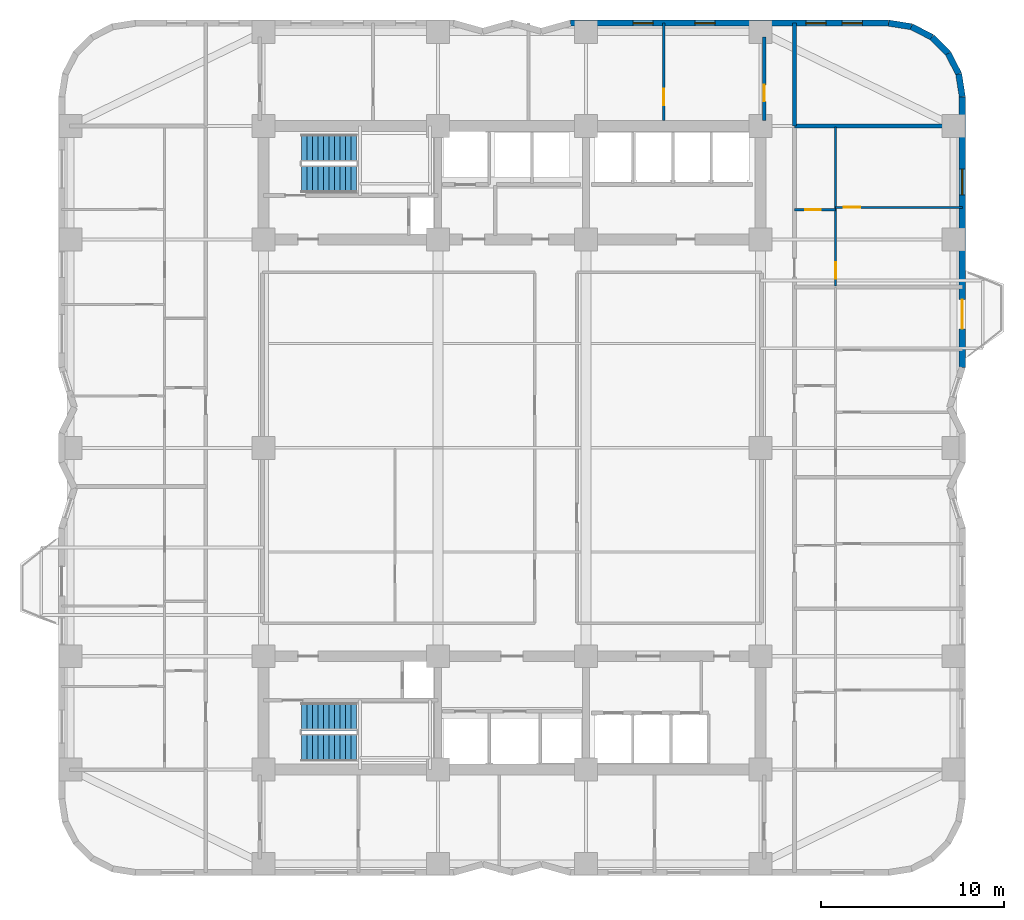
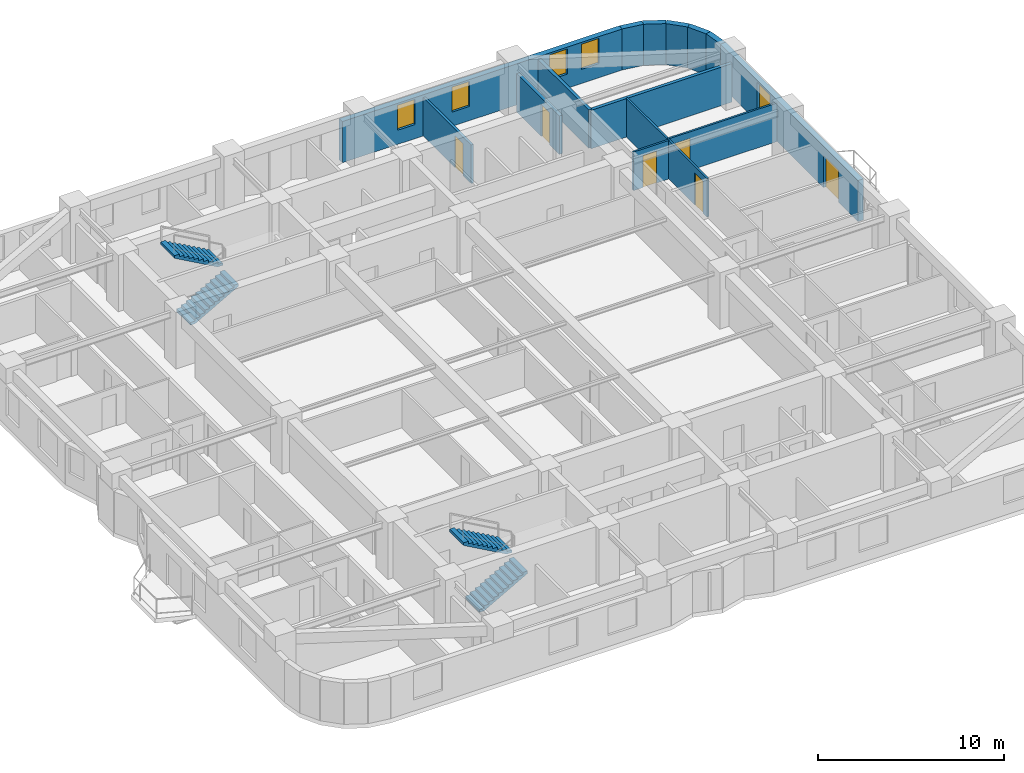
# One storey, part 7 of 9: 14 walls, 6 doors, 5 windows, 4 stair flights, 11 openings, 2 elements without a shape of their own.
"""IFC4 building model written with IfcOpenShell, lengths in metres."""

from ifc_helpers import new_model, si_unit, direction, frame, frame_2d, origin, place, context, subcontext, project, spatial, polyline, rectangle, outline, extrude, material, layer, layer_set, type_object, element, fill, aggregate, save


model = new_model("IFC4")

# Units and contexts
model_context = context("Model", 3, precision=1e-05, world=origin(), true_north=direction((0.0, 1.0)))
body_context = subcontext(model_context, "Body", "Model", "MODEL_VIEW")
ifc_project = project(units=[si_unit("LENGTHUNIT", "METRE"), si_unit("AREAUNIT", "SQUARE_METRE"), si_unit("VOLUMEUNIT", "CUBIC_METRE"), si_unit("PLANEANGLEUNIT", "RADIAN"), si_unit("MASSUNIT", "GRAM", prefix="KILO")], contexts=[model_context])

# Site, building, storey
site_placement = place(None, origin())
site = spatial("IfcSite", under=ifc_project, at=site_placement, CompositionType="ELEMENT")
building_placement = place(site_placement, origin())
building = spatial("IfcBuilding", under=site, at=building_placement, Name="Svetorya Sky Lyceum", CompositionType="ELEMENT")
storey_placement = place(building_placement, frame((0.0, 0.0, 62.10009765625)))
storey = spatial("IfcBuildingStorey", under=building, at=storey_placement, Name="L15", CompositionType="ELEMENT", Elevation=62.10009765625)

# Wall, openings, door, window
ifc_material_1 = material(Name="Putilovo limestone rainscreen on autoclaved cellular masonry", Category="masonry")
ifc_layer_1 = layer(ifc_material_1, 0.340087890625)
ifc_layer_set_1 = layer_set([ifc_layer_1], Name="Putilovo limestone rainscreen on autoclaved cellular masonry")
wall_type_1 = type_object("IfcWallType", Name="WL-EXT-340", PredefinedType="SOLIDWALL", material=ifc_layer_set_1)
wall_1_placement = place(storey_placement, frame((63.830078125, 32.60009765625, 0.0), z_axis=(0.0, 0.0, 1.0), x_axis=(0.0, 1.0, 0.0)))
wall_1 = element("IfcWall", 1, at=wall_1_placement, inside=storey, type_object=wall_type_1, Name="L15 Limestone Exterior Wall 23M", PredefinedType="SOLIDWALL", context=body_context, shape_type="SweptSolid", body=[
    extrude(rectangle(XDim=14.7998046875, YDim=0.340087890625, at=frame_2d((7.39990234375, 0.0))), origin(), (0.0, 0.0, 1.0), 2.699951171875),
])
opening_1_placement = place(wall_1_placement, frame((2.10009765625, 0.0, 0.0)))
opening_1 = element("IfcOpeningElement", 2, at=opening_1_placement, cuts=wall_1, Name="Opening D-BL1", PredefinedType="OPENING", context=body_context, shape_type="SweptSolid", body=[
    extrude(rectangle(XDim=1.60009765625, YDim=2.10009765625, at=frame_2d((0.800048828125, 1.050048828125))), frame((0.0, 0.179931640625, 0.0), z_axis=(0.0, -1.0, 0.0), x_axis=(1.0, 0.0, 0.0)), (0.0, 0.0, 1.0), 0.360107421875),
])
opening_2_placement = place(wall_1_placement, frame((9.4375, 0.0, 0.72998046875)))
opening_2 = element("IfcOpeningElement", 3, at=opening_2_placement, cuts=wall_1, Name="Opening W-R2", PredefinedType="OPENING", context=body_context, shape_type="SweptSolid", body=[
    extrude(rectangle(XDim=1.39990234375, YDim=1.85009765625, at=frame_2d((0.699951171875, 0.925048828125))), frame((0.0, 0.179931640625, 0.0), z_axis=(0.0, -1.0, 0.0), x_axis=(1.0, 0.0, 0.0)), (0.0, 0.0, 1.0), 0.360107421875),
])
ifc_material_2 = material(Name="Insulated glazed aluminium balcony door", Category="aluminium")
door_type_1 = type_object("IfcDoorType", Name="DR-BAL-1600", OperationType="DOUBLE_DOOR_SINGLE_SWING", PredefinedType="DOOR", material=ifc_material_2)
door_1_placement = place(opening_1_placement, origin())
door_1 = element("IfcDoor", 4, at=door_1_placement, inside=storey, type_object=door_type_1, Name="L15 Balcony BAL-E1 Door", OperationType="DOUBLE_DOOR_SINGLE_SWING", OverallHeight=2.10009765625, OverallWidth=1.60009765625, PredefinedType="DOOR", context=body_context, shape_type="SweptSolid", body=[
    extrude(rectangle(XDim=1.60009765625, YDim=2.10009765625, at=frame_2d((0.800048828125, 1.050048828125))), frame((0.0, 0.02490234375, 0.0), z_axis=(0.0, -1.0, 0.0), x_axis=(1.0, 0.0, 0.0)), (0.0, 0.0, 1.0), 0.050048828125),
])
fill(opening_1, door_1)
ifc_material_3 = material(Name="Thermally broken aluminium frame with triple low-E glazing", Category="aluminium")
window_type_1 = type_object("IfcWindowType", Name="WN-RES-140", PartitioningType="SINGLE_PANEL", PredefinedType="WINDOW", material=ifc_material_3)
window_1_placement = place(opening_2_placement, origin())
window_1 = element("IfcWindow", 5, at=window_1_placement, inside=storey, type_object=window_type_1, Name="L15 Facade Window W-R2.23M.1", OverallHeight=1.85009765625, OverallWidth=1.39990234375, PartitioningType="SINGLE_PANEL", PredefinedType="WINDOW", context=body_context, shape_type="SweptSolid", body=[
    extrude(rectangle(XDim=1.39990234375, YDim=1.85009765625, at=frame_2d((0.699951171875, 0.925048828125))), frame((0.0, 0.030029296875, 0.0), z_axis=(0.0, -1.0, 0.0), x_axis=(1.0, 0.0, 0.0)), (0.0, 0.0, 1.0), 0.06005859375),
])
fill(opening_2, window_1)

# Walls
for number, where, z_axis, x_axis, name in (
    (6, (63.830078125, 47.39990234375, 0.0), (0.0, 0.0, 1.0), (-0.15644975923, 0.987685918112, 0.0), "L15 Limestone Exterior Wall 24M"),
    (7, (63.6328125, 48.645263671875, 0.0), (0.0, 0.0, 1.0), (-0.454015689056, 0.890993689142, 0.0), "L15 Limestone Exterior Wall 25M"),
    (8, (63.060302734375, 49.768798828125, 0.0), (0.0, 0.0, 1.0), (-0.707106781187, 0.707106781187, 0.0), "L15 Limestone Exterior Wall 26M"),
):
    element("IfcWall", number, at=place(storey_placement, frame(where, z_axis=z_axis, x_axis=x_axis)), inside=storey, type_object=wall_type_1, Name=name, PredefinedType="SOLIDWALL", context=body_context, shape_type="SweptSolid", body=[
        extrude(rectangle(XDim=1.260986328125, YDim=0.340087890625, at=frame_2d((0.63037109375, 0.0))), origin(), (0.0, 0.0, 1.0), 2.699951171875),
    ])
for number, where, z_axis, x_axis, name in (
    (9, (62.168701171875, 50.660400390625, 0.0), (0.0, 0.0, 1.0), (-0.890953769915, 0.454094020963, 0.0), "L15 Limestone Exterior Wall 27M"),
    (10, (61.04541015625, 51.23291015625, 0.0), (0.0, 0.0, 1.0), (-0.98771582066, 0.156260864002, 0.0), "L15 Limestone Exterior Wall 28M"),
):
    element("IfcWall", number, at=place(storey_placement, frame(where, z_axis=z_axis, x_axis=x_axis)), inside=storey, type_object=wall_type_1, Name=name, PredefinedType="SOLIDWALL", context=body_context, shape_type="SweptSolid", body=[
        extrude(rectangle(XDim=1.2607421875, YDim=0.340087890625, at=frame_2d((0.63037109375, 0.0))), origin(), (0.0, 0.0, 1.0), 2.699951171875),
    ])

# Wall, openings, windows
wall_2_placement = place(storey_placement, frame((59.800048828125, 51.429931640625, 0.0), z_axis=(0.0, 0.0, 1.0), x_axis=(-1.0, 0.0, 0.0)))
wall_2 = element("IfcWall", 11, at=wall_2_placement, inside=storey, type_object=wall_type_1, Name="L15 Limestone Exterior Wall 29M", PredefinedType="SOLIDWALL", context=body_context, shape_type="SweptSolid", body=[
    extrude(rectangle(XDim=17.400146484375, YDim=0.340087890625, at=frame_2d((8.7001953125, 0.0))), origin(), (0.0, 0.0, 1.0), 2.699951171875),
])
opening_3_placement = place(wall_2_placement, frame((1.441650390625, 0.0, 0.929931640625)))
opening_3 = element("IfcOpeningElement", 12, at=opening_3_placement, cuts=wall_2, Name="Opening W-R3", PredefinedType="OPENING", context=body_context, shape_type="SweptSolid", body=[
    extrude(rectangle(XDim=1.10009765625, YDim=1.64990234375, at=frame_2d((0.550048828125, 0.824951171875))), frame((0.0, 0.179931640625, 0.0), z_axis=(0.0, -1.0, 0.0), x_axis=(1.0, 0.0, 0.0)), (0.0, 0.0, 1.0), 0.360107421875),
])
opening_4_placement = place(wall_2_placement, frame((3.425048828125, 0.0, 0.929931640625)))
opening_4 = element("IfcOpeningElement", 13, at=opening_4_placement, cuts=wall_2, Name="Opening W-R3", PredefinedType="OPENING", context=body_context, shape_type="SweptSolid", body=[
    extrude(rectangle(XDim=1.10009765625, YDim=1.64990234375, at=frame_2d((0.550048828125, 0.824951171875))), frame((0.0, 0.179931640625, 0.0), z_axis=(0.0, -1.0, 0.0), x_axis=(1.0, 0.0, 0.0)), (0.0, 0.0, 1.0), 0.360107421875),
])
opening_5_placement = place(wall_2_placement, frame((9.49169921875, 0.0, 0.929931640625)))
opening_5 = element("IfcOpeningElement", 14, at=opening_5_placement, cuts=wall_2, Name="Opening W-R3", PredefinedType="OPENING", context=body_context, shape_type="SweptSolid", body=[
    extrude(rectangle(XDim=1.10009765625, YDim=1.64990234375, at=frame_2d((0.550048828125, 0.824951171875))), frame((0.0, 0.179931640625, 0.0), z_axis=(0.0, -1.0, 0.0), x_axis=(1.0, 0.0, 0.0)), (0.0, 0.0, 1.0), 0.360107421875),
])
opening_6_placement = place(wall_2_placement, frame((12.875, 0.0, 0.929931640625)))
opening_6 = element("IfcOpeningElement", 15, at=opening_6_placement, cuts=wall_2, Name="Opening W-R3", PredefinedType="OPENING", context=body_context, shape_type="SweptSolid", body=[
    extrude(rectangle(XDim=1.10009765625, YDim=1.64990234375, at=frame_2d((0.550048828125, 0.824951171875))), frame((0.0, 0.179931640625, 0.0), z_axis=(0.0, -1.0, 0.0), x_axis=(1.0, 0.0, 0.0)), (0.0, 0.0, 1.0), 0.360107421875),
])
window_type_2 = type_object("IfcWindowType", Name="WN-RES-110", PartitioningType="SINGLE_PANEL", PredefinedType="WINDOW", material=ifc_material_3)
window_2_placement = place(opening_3_placement, origin())
window_2 = element("IfcWindow", 16, at=window_2_placement, inside=storey, type_object=window_type_2, Name="L15 Facade Window W-R3.29M.1", OverallHeight=1.64990234375, OverallWidth=1.10009765625, PartitioningType="SINGLE_PANEL", PredefinedType="WINDOW", context=body_context, shape_type="SweptSolid", body=[
    extrude(rectangle(XDim=1.10009765625, YDim=1.64990234375, at=frame_2d((0.550048828125, 0.824951171875))), frame((0.0, 0.030029296875, 0.0), z_axis=(0.0, -1.0, 0.0), x_axis=(1.0, 0.0, 0.0)), (0.0, 0.0, 1.0), 0.06005859375),
])
fill(opening_3, window_2)
window_3_placement = place(opening_4_placement, origin())
window_3 = element("IfcWindow", 17, at=window_3_placement, inside=storey, type_object=window_type_2, Name="L15 Facade Window W-R3.29M.2", OverallHeight=1.64990234375, OverallWidth=1.10009765625, PartitioningType="SINGLE_PANEL", PredefinedType="WINDOW", context=body_context, shape_type="SweptSolid", body=[
    extrude(rectangle(XDim=1.10009765625, YDim=1.64990234375, at=frame_2d((0.550048828125, 0.824951171875))), frame((0.0, 0.030029296875, 0.0), z_axis=(0.0, -1.0, 0.0), x_axis=(1.0, 0.0, 0.0)), (0.0, 0.0, 1.0), 0.06005859375),
])
fill(opening_4, window_3)
window_4_placement = place(opening_5_placement, origin())
window_4 = element("IfcWindow", 18, at=window_4_placement, inside=storey, type_object=window_type_2, Name="L15 Facade Window W-R3.29M.3", OverallHeight=1.64990234375, OverallWidth=1.10009765625, PartitioningType="SINGLE_PANEL", PredefinedType="WINDOW", context=body_context, shape_type="SweptSolid", body=[
    extrude(rectangle(XDim=1.10009765625, YDim=1.64990234375, at=frame_2d((0.550048828125, 0.824951171875))), frame((0.0, 0.030029296875, 0.0), z_axis=(0.0, -1.0, 0.0), x_axis=(1.0, 0.0, 0.0)), (0.0, 0.0, 1.0), 0.06005859375),
])
fill(opening_5, window_4)
window_5_placement = place(opening_6_placement, origin())
window_5 = element("IfcWindow", 19, at=window_5_placement, inside=storey, type_object=window_type_2, Name="L15 Facade Window W-R3.29M.4", OverallHeight=1.64990234375, OverallWidth=1.10009765625, PartitioningType="SINGLE_PANEL", PredefinedType="WINDOW", context=body_context, shape_type="SweptSolid", body=[
    extrude(rectangle(XDim=1.10009765625, YDim=1.64990234375, at=frame_2d((0.550048828125, 0.824951171875))), frame((0.0, 0.030029296875, 0.0), z_axis=(0.0, -1.0, 0.0), x_axis=(1.0, 0.0, 0.0)), (0.0, 0.0, 1.0), 0.06005859375),
])
fill(opening_6, window_5)

# Wall, opening, door
ifc_material_4 = material(Name="Twin-stud galvanized framing with double fireboard", Category="gypsum")
ifc_layer_2 = layer(ifc_material_4, 0.1201171875)
ifc_layer_set_2 = layer_set([ifc_layer_2], Name="Twin-stud galvanized framing with double fireboard")
wall_type_2 = type_object("IfcWallType", Name="WL-PART-120", PredefinedType="PARTITIONING", material=ifc_layer_set_2)
wall_3_placement = place(storey_placement, frame((54.64990234375, 41.219970703125, 0.0), z_axis=(0.0, 0.0, 1.0), x_axis=(1.0, 0.0, 0.0)))
wall_3 = element("IfcWall", 20, at=wall_3_placement, inside=storey, type_object=wall_type_2, Name="L15 Interior Partition E4-WH1", PredefinedType="PARTITIONING", context=body_context, shape_type="SweptSolid", body=[
    extrude(rectangle(XDim=2.25, YDim=0.1201171875, at=frame_2d((1.125, 0.0))), origin(), (0.0, 0.0, 1.0), 2.52978515625),
])
opening_7_placement = place(wall_3_placement, frame((0.60009765625, 0.0, 0.0)))
opening_7 = element("IfcOpeningElement", 21, at=opening_7_placement, cuts=wall_3, Name="Opening D-BT1", PredefinedType="OPENING", context=body_context, shape_type="SweptSolid", body=[
    extrude(rectangle(XDim=0.85009765625, YDim=2.10009765625, at=frame_2d((0.425048828125, 1.050048828125))), frame((0.0, 0.070068359375, 0.0), z_axis=(0.0, -1.0, 0.0), x_axis=(1.0, 0.0, 0.0)), (0.0, 0.0, 1.0), 0.14013671875),
])
ifc_material_5 = material(Name="Moisture-resistant laminate bathroom door")
door_type_2 = type_object("IfcDoorType", Name="DR-WET-850", OperationType="SINGLE_SWING_LEFT", PredefinedType="DOOR", material=ifc_material_5)
door_2_placement = place(opening_7_placement, origin())
door_2 = element("IfcDoor", 22, at=door_2_placement, inside=storey, type_object=door_type_2, Name="Apartment E4 Bathroom Door", OperationType="SINGLE_SWING_LEFT", OverallHeight=2.10009765625, OverallWidth=0.85009765625, PredefinedType="DOOR", context=body_context, shape_type="SweptSolid", body=[
    extrude(rectangle(XDim=0.85009765625, YDim=2.10009765625, at=frame_2d((0.425048828125, 1.050048828125))), frame((0.0, 0.02490234375, 0.0), z_axis=(0.0, -1.0, 0.0), x_axis=(1.0, 0.0, 0.0)), (0.0, 0.0, 1.0), 0.050048828125),
])
fill(opening_7, door_2)

wall_4_placement = place(storey_placement, frame((56.89990234375, 41.35009765625, 0.0), z_axis=(0.0, 0.0, 1.0), x_axis=(1.0, 0.0, 0.0)))
wall_4 = element("IfcWall", 23, at=wall_4_placement, inside=storey, type_object=wall_type_2, Name="L15 Interior Partition E4-WL1", PredefinedType="PARTITIONING", context=body_context, shape_type="SweptSolid", body=[
    extrude(rectangle(XDim=6.93017578125, YDim=0.1201171875, at=frame_2d((3.465087890625, 0.0))), origin(), (0.0, 0.0, 1.0), 2.52978515625),
])
opening_8_placement = place(wall_4_placement, frame((0.449951171875, 0.0, 0.0)))
opening_8 = element("IfcOpeningElement", 24, at=opening_8_placement, cuts=wall_4, Name="Opening D-RM1", PredefinedType="OPENING", context=body_context, shape_type="SweptSolid", body=[
    extrude(rectangle(XDim=0.89990234375, YDim=2.10009765625, at=frame_2d((0.449951171875, 1.050048828125))), frame((0.0, 0.070068359375, 0.0), z_axis=(0.0, -1.0, 0.0), x_axis=(1.0, 0.0, 0.0)), (0.0, 0.0, 1.0), 0.14013671875),
])
ifc_material_6 = material(Name="Lacquered birch veneer internal door")
door_type_3 = type_object("IfcDoorType", Name="DR-INT-900", OperationType="SINGLE_SWING_LEFT", PredefinedType="DOOR", material=ifc_material_6)
door_3_placement = place(opening_8_placement, origin())
door_3 = element("IfcDoor", 25, at=door_3_placement, inside=storey, type_object=door_type_3, Name="Apartment E4 Bedroom 1 Door", OperationType="SINGLE_SWING_LEFT", OverallHeight=2.10009765625, OverallWidth=0.89990234375, PredefinedType="DOOR", context=body_context, shape_type="SweptSolid", body=[
    extrude(rectangle(XDim=0.89990234375, YDim=2.10009765625, at=frame_2d((0.449951171875, 1.050048828125))), frame((0.0, 0.02490234375, 0.0), z_axis=(0.0, -1.0, 0.0), x_axis=(1.0, 0.0, 0.0)), (0.0, 0.0, 1.0), 0.050048828125),
])
fill(opening_8, door_3)

wall_5_placement = place(storey_placement, frame((56.89990234375, 37.0400390625, 0.0), z_axis=(0.0, 0.0, 1.0), x_axis=(0.0, 1.0, 0.0)))
wall_5 = element("IfcWall", 26, at=wall_5_placement, inside=storey, type_object=wall_type_2, Name="L15 Interior Partition E4-WV", PredefinedType="PARTITIONING", context=body_context, shape_type="SweptSolid", body=[
    extrude(rectangle(XDim=8.719970703125, YDim=0.1201171875, at=frame_2d((4.35986328125, 0.0))), origin(), (0.0, 0.0, 1.0), 2.52978515625),
])
opening_9_placement = place(wall_5_placement, frame((0.409912109375, 0.0, 0.0)))
opening_9 = element("IfcOpeningElement", 27, at=opening_9_placement, cuts=wall_5, Name="Opening D-RM1", PredefinedType="OPENING", context=body_context, shape_type="SweptSolid", body=[
    extrude(rectangle(XDim=0.89990234375, YDim=2.10009765625, at=frame_2d((0.449951171875, 1.050048828125))), frame((0.0, 0.070068359375, 0.0), z_axis=(0.0, -1.0, 0.0), x_axis=(1.0, 0.0, 0.0)), (0.0, 0.0, 1.0), 0.14013671875),
])
door_4_placement = place(opening_9_placement, origin())
door_4 = element("IfcDoor", 28, at=door_4_placement, inside=storey, type_object=door_type_3, Name="Apartment E4 Living Door", OperationType="SINGLE_SWING_RIGHT", OverallHeight=2.10009765625, OverallWidth=0.89990234375, PredefinedType="DOOR", context=body_context, shape_type="SweptSolid", body=[
    extrude(rectangle(XDim=0.89990234375, YDim=2.10009765625, at=frame_2d((0.449951171875, 1.050048828125))), frame((0.0, 0.02490234375, 0.0), z_axis=(0.0, -1.0, 0.0), x_axis=(1.0, 0.0, 0.0)), (0.0, 0.0, 1.0), 0.050048828125),
])
fill(opening_9, door_4)

ifc_material_7 = material(Name="Autoclaved cellular masonry blockwork with acoustic render", Category="masonry")
ifc_layer_3 = layer(ifc_material_7, 0.14990234375)
ifc_layer_set_3 = layer_set([ifc_layer_3], Name="Autoclaved cellular masonry blockwork with acoustic render")
wall_type_3 = type_object("IfcWallType", Name="WL-PART-150", PredefinedType="PARTITIONING", material=ifc_layer_set_3)
wall_6_placement = place(storey_placement, frame((47.5, 46.10009765625, 0.0), z_axis=(0.0, 0.0, 1.0), x_axis=(0.0, 1.0, 0.0)))
wall_6 = element("IfcWall", 29, at=wall_6_placement, inside=storey, type_object=wall_type_3, Name="L15 Interior Partition N4-D3", PredefinedType="PARTITIONING", context=body_context, shape_type="SweptSolid", body=[
    extrude(rectangle(XDim=5.329833984375, YDim=0.14990234375, at=frame_2d((2.6650390625, 0.0))), origin(), (0.0, 0.0, 1.0), 2.52978515625),
])
opening_10_placement = place(wall_6_placement, frame((0.85009765625, 0.0, 0.0)))
opening_10 = element("IfcOpeningElement", 30, at=opening_10_placement, cuts=wall_6, Name="Opening D-RM1", PredefinedType="OPENING", context=body_context, shape_type="SweptSolid", body=[
    extrude(rectangle(XDim=0.89990234375, YDim=2.10009765625, at=frame_2d((0.449951171875, 1.050048828125))), frame((0.0, 0.0849609375, 0.0), z_axis=(0.0, -1.0, 0.0), x_axis=(1.0, 0.0, 0.0)), (0.0, 0.0, 1.0), 0.169921875),
])
door_5_placement = place(opening_10_placement, origin())
door_5 = element("IfcDoor", 31, at=door_5_placement, inside=storey, type_object=door_type_3, Name="L15 North Suite Door 3", OperationType="SINGLE_SWING_RIGHT", OverallHeight=2.10009765625, OverallWidth=0.89990234375, PredefinedType="DOOR", context=body_context, shape_type="SweptSolid", body=[
    extrude(rectangle(XDim=0.89990234375, YDim=2.10009765625, at=frame_2d((0.449951171875, 1.050048828125))), frame((0.0, 0.02490234375, 0.0), z_axis=(0.0, -1.0, 0.0), x_axis=(1.0, 0.0, 0.0)), (0.0, 0.0, 1.0), 0.050048828125),
])
fill(opening_10, door_5)

# Walls
ifc_material_8 = material(Name="Autoclaved cellular masonry blockwork with gypsum plaster", Category="masonry")
ifc_layer_4 = layer(ifc_material_8, 0.199951171875)
ifc_layer_set_4 = layer_set([ifc_layer_4], Name="Autoclaved cellular masonry blockwork with gypsum plaster")
wall_type_4 = type_object("IfcWallType", Name="WL-PART-200", PredefinedType="PARTITIONING", material=ifc_layer_set_4)
wall_7_placement = place(storey_placement, frame((54.64990234375, 45.800048828125, 0.0), z_axis=(0.0, 0.0, 1.0), x_axis=(1.0, 0.0, 0.0)))
element("IfcWall", 32, at=wall_7_placement, inside=storey, type_object=wall_type_4, Name="L15 Interior Partition E-CAP-N", PredefinedType="PARTITIONING", context=body_context, shape_type="SweptSolid", body=[
    extrude(rectangle(XDim=8.760009765625, YDim=0.199951171875, at=frame_2d((4.3798828125, 0.0))), origin(), (0.0, 0.0, 1.0), 2.52978515625),
])
wall_8_placement = place(storey_placement, frame((54.64990234375, 45.800048828125, 0.0), z_axis=(0.0, 0.0, 1.0), x_axis=(0.0, 1.0, 0.0)))
element("IfcWall", 33, at=wall_8_placement, inside=storey, type_object=wall_type_4, Name="L15 Interior Partition EC-NE-END", PredefinedType="PARTITIONING", context=body_context, shape_type="SweptSolid", body=[
    extrude(rectangle(XDim=5.6298828125, YDim=0.199951171875, at=frame_2d((2.81494140625, 0.0))), origin(), (0.0, 0.0, 1.0), 2.52978515625),
])

# Wall, opening, door
wall_9_placement = place(storey_placement, frame((53.0, 46.10009765625, 0.0), z_axis=(0.0, 0.0, 1.0), x_axis=(0.0, 1.0, 0.0)))
wall_9 = element("IfcWall", 34, at=wall_9_placement, inside=storey, type_object=wall_type_4, Name="L15 Interior Partition N4-EE", PredefinedType="PARTITIONING", context=body_context, shape_type="SweptSolid", body=[
    extrude(rectangle(XDim=4.579833984375, YDim=0.199951171875, at=frame_2d((2.2900390625, 0.0))), origin(), (0.0, 0.0, 1.0), 2.52978515625),
])
opening_11_placement = place(wall_9_placement, frame((1.050048828125, 0.0, 0.0)))
opening_11 = element("IfcOpeningElement", 35, at=opening_11_placement, cuts=wall_9, Name="Opening D-RM1", PredefinedType="OPENING", context=body_context, shape_type="SweptSolid", body=[
    extrude(rectangle(XDim=0.89990234375, YDim=2.10009765625, at=frame_2d((0.449951171875, 1.050048828125))), frame((0.0, 0.10986328125, 0.0), z_axis=(0.0, -1.0, 0.0), x_axis=(1.0, 0.0, 0.0)), (0.0, 0.0, 1.0), 0.219970703125),
])
door_6_placement = place(opening_11_placement, origin())
door_6 = element("IfcDoor", 36, at=door_6_placement, inside=storey, type_object=door_type_3, Name="L15 NE Office Door", OperationType="SINGLE_SWING_LEFT", OverallHeight=2.10009765625, OverallWidth=0.89990234375, PredefinedType="DOOR", context=body_context, shape_type="SweptSolid", body=[
    extrude(rectangle(XDim=0.89990234375, YDim=2.10009765625, at=frame_2d((0.449951171875, 1.050048828125))), frame((0.0, 0.02490234375, 0.0), z_axis=(0.0, -1.0, 0.0), x_axis=(1.0, 0.0, 0.0)), (0.0, 0.0, 1.0), 0.050048828125),
])
fill(opening_11, door_6)

# Stair, stair flights
ifc_material_9 = material(Name="Concrete C40/50", Category="concrete")
stair_type_1 = type_object("IfcStairType", Name="STR-ST-N", PredefinedType="HALF_TURN_STAIR", material=ifc_material_9)
stair_1_placement = place(storey_placement, origin())
stair_1 = element("IfcStair", 37, at=stair_1_placement, inside=storey, type_object=stair_type_1, Name="L15 North Core Smoke-Free Exit Stair N3", PredefinedType="HALF_TURN_STAIR")
stair_flight_type_1 = type_object("IfcStairFlightType", Name="SFL-ST-N", PredefinedType="STRAIGHT", material=ifc_material_9)
stair_flight_1_placement = place(storey_placement, frame((27.699951171875, 42.89990234375, 0.0), z_axis=(0.0, 0.0, 1.0), x_axis=(1.0, 0.0, 0.0)))
stair_flight_1 = element("IfcStairFlight", 38, at=stair_flight_1_placement, type_object=stair_flight_type_1, Name="ST-N flight 1", NumberOfRisers=11, NumberOfTreads=10, PredefinedType="STRAIGHT", RiserHeight=0.168181818, TreadLength=0.3, context=body_context, shape_type="SweptSolid", body=[
    extrude(outline(polyline([(0.0, 0.0), (0.0, 0.168212890625), (0.300048828125, 0.168212890625), (0.300048828125, 0.33642578125), (0.60009765625, 0.33642578125), (0.60009765625, 0.504638671875), (0.89990234375, 0.504638671875), (0.89990234375, 0.672607421875), (1.199951171875, 0.672607421875), (1.199951171875, 0.8408203125), (1.5, 0.8408203125), (1.5, 1.009033203125), (1.800048828125, 1.009033203125), (1.800048828125, 1.17724609375), (2.10009765625, 1.17724609375), (2.10009765625, 1.345458984375), (2.39990234375, 1.345458984375), (2.39990234375, 1.513671875), (2.699951171875, 1.513671875), (2.699951171875, 1.681884765625), (3.0, 1.681884765625), (3.0, 1.85009765625), (3.0, 1.510009765625), (0.306640625, 0.0), (0.0, 0.0)])), frame((0.0, 0.75, 0.0), z_axis=(0.0, -1.0, 0.0), x_axis=(1.0, 0.0, 0.0)), (0.0, 0.0, 1.0), 1.5),
])
stair_flight_2_placement = place(storey_placement, frame((30.699951171875, 44.60009765625, 1.849853515625), z_axis=(0.0, 0.0, 1.0), x_axis=(-1.0, 0.0, 0.0)))
stair_flight_2 = element("IfcStairFlight", 39, at=stair_flight_2_placement, type_object=stair_flight_type_1, Name="ST-N flight 2", NumberOfRisers=11, NumberOfTreads=10, PredefinedType="STRAIGHT", RiserHeight=0.168181818, TreadLength=0.3, context=body_context, shape_type="SweptSolid", body=[
    extrude(outline(polyline([(0.0, 0.0), (0.0, 0.168212890625), (0.300048828125, 0.168212890625), (0.300048828125, 0.33642578125), (0.60009765625, 0.33642578125), (0.60009765625, 0.504638671875), (0.89990234375, 0.504638671875), (0.89990234375, 0.672607421875), (1.199951171875, 0.672607421875), (1.199951171875, 0.8408203125), (1.5, 0.8408203125), (1.5, 1.009033203125), (1.800048828125, 1.009033203125), (1.800048828125, 1.17724609375), (2.10009765625, 1.17724609375), (2.10009765625, 1.345458984375), (2.39990234375, 1.345458984375), (2.39990234375, 1.513671875), (2.699951171875, 1.513671875), (2.699951171875, 1.681884765625), (3.0, 1.681884765625), (3.0, 1.85009765625), (3.0, 1.510009765625), (0.306640625, 0.0), (0.0, 0.0)])), frame((0.0, 0.75, 0.0), z_axis=(0.0, -1.0, 0.0), x_axis=(1.0, 0.0, 0.0)), (0.0, 0.0, 1.0), 1.5),
])
aggregate(stair_1, [stair_flight_1, stair_flight_2])

stair_type_2 = type_object("IfcStairType", Name="STR-ST-S", PredefinedType="HALF_TURN_STAIR", material=ifc_material_9)
stair_2_placement = place(storey_placement, origin())
stair_2 = element("IfcStair", 40, at=stair_2_placement, inside=storey, type_object=stair_type_2, Name="L15 South Core Smoke-Free Exit Stair N2", PredefinedType="HALF_TURN_STAIR")
stair_flight_type_2 = type_object("IfcStairFlightType", Name="SFL-ST-S", PredefinedType="STRAIGHT", material=ifc_material_9)
stair_flight_3_placement = place(storey_placement, frame((27.699951171875, 11.800048828125, 0.0), z_axis=(0.0, 0.0, 1.0), x_axis=(1.0, 0.0, 0.0)))
stair_flight_3 = element("IfcStairFlight", 41, at=stair_flight_3_placement, type_object=stair_flight_type_2, Name="ST-S flight 1", NumberOfRisers=11, NumberOfTreads=10, PredefinedType="STRAIGHT", RiserHeight=0.168181818, TreadLength=0.3, context=body_context, shape_type="SweptSolid", body=[
    extrude(outline(polyline([(0.0, 0.0), (0.0, 0.168212890625), (0.300048828125, 0.168212890625), (0.300048828125, 0.33642578125), (0.60009765625, 0.33642578125), (0.60009765625, 0.504638671875), (0.89990234375, 0.504638671875), (0.89990234375, 0.672607421875), (1.199951171875, 0.672607421875), (1.199951171875, 0.8408203125), (1.5, 0.8408203125), (1.5, 1.009033203125), (1.800048828125, 1.009033203125), (1.800048828125, 1.17724609375), (2.10009765625, 1.17724609375), (2.10009765625, 1.345458984375), (2.39990234375, 1.345458984375), (2.39990234375, 1.513671875), (2.699951171875, 1.513671875), (2.699951171875, 1.681884765625), (3.0, 1.681884765625), (3.0, 1.85009765625), (3.0, 1.510009765625), (0.306640625, 0.0), (0.0, 0.0)])), frame((0.0, 0.75, 0.0), z_axis=(0.0, -1.0, 0.0), x_axis=(1.0, 0.0, 0.0)), (0.0, 0.0, 1.0), 1.5),
])
stair_flight_4_placement = place(storey_placement, frame((30.699951171875, 13.5, 1.849853515625), z_axis=(0.0, 0.0, 1.0), x_axis=(-1.0, 0.0, 0.0)))
stair_flight_4 = element("IfcStairFlight", 42, at=stair_flight_4_placement, type_object=stair_flight_type_2, Name="ST-S flight 2", NumberOfRisers=11, NumberOfTreads=10, PredefinedType="STRAIGHT", RiserHeight=0.168181818, TreadLength=0.3, context=body_context, shape_type="SweptSolid", body=[
    extrude(outline(polyline([(0.0, 0.0), (0.0, 0.168212890625), (0.300048828125, 0.168212890625), (0.300048828125, 0.33642578125), (0.60009765625, 0.33642578125), (0.60009765625, 0.504638671875), (0.89990234375, 0.504638671875), (0.89990234375, 0.672607421875), (1.199951171875, 0.672607421875), (1.199951171875, 0.8408203125), (1.5, 0.8408203125), (1.5, 1.009033203125), (1.800048828125, 1.009033203125), (1.800048828125, 1.17724609375), (2.10009765625, 1.17724609375), (2.10009765625, 1.345458984375), (2.39990234375, 1.345458984375), (2.39990234375, 1.513671875), (2.699951171875, 1.513671875), (2.699951171875, 1.681884765625), (3.0, 1.681884765625), (3.0, 1.85009765625), (3.0, 1.510009765625), (0.306640625, 0.0), (0.0, 0.0)])), frame((0.0, 0.75, 0.0), z_axis=(0.0, -1.0, 0.0), x_axis=(1.0, 0.0, 0.0)), (0.0, 0.0, 1.0), 1.5),
])
aggregate(stair_2, [stair_flight_3, stair_flight_4])

save(model, "model.ifc")
